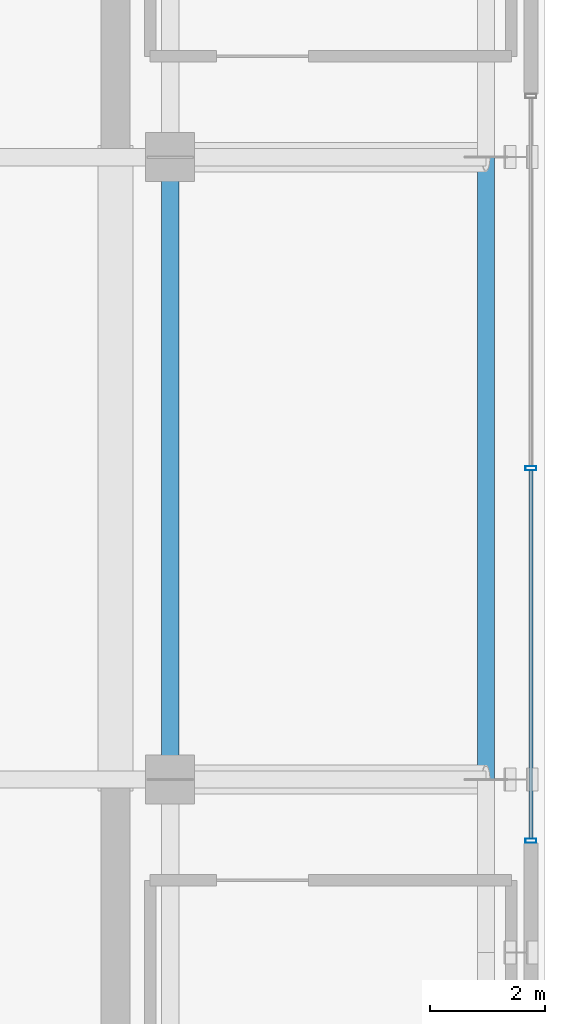
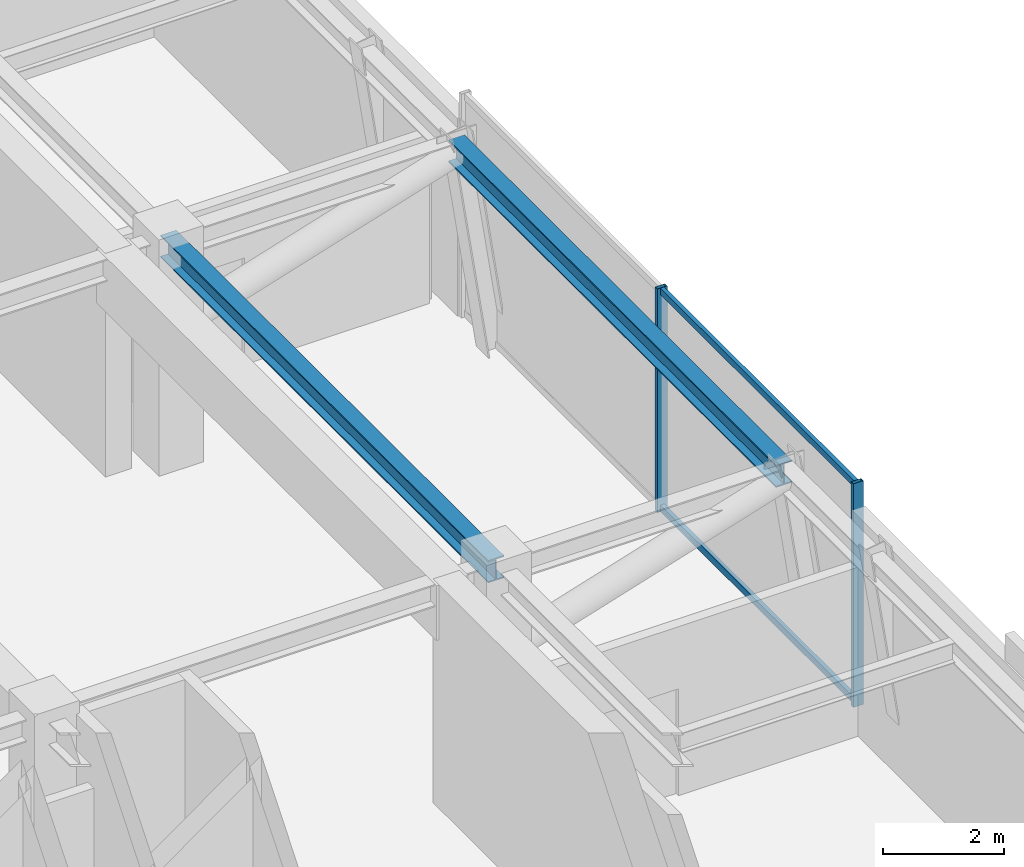
# One storey, part 6 of 15: 4 members, 2 beams, 1 element without a shape of its own.
"""IFC4 building model written with IfcOpenShell, lengths in metres."""

from ifc_helpers import new_model, si_unit, direction, frame, origin, origin_2d, place, context, subcontext, project, spatial, hollow_rectangle, i_section, extrude, source, transform, mapped, material, material_profile, profile_set, type_object, element, aggregate, save


model = new_model("IFC4")

# Units and contexts
model_context = context("Model", 3, precision=1e-05, world=origin(), true_north=direction((0.0, 1.0)))
body_context = subcontext(model_context, "Body", "Model", "MODEL_VIEW")
ifc_project = project(units=[si_unit("LENGTHUNIT", "METRE"), si_unit("AREAUNIT", "SQUARE_METRE"), si_unit("VOLUMEUNIT", "CUBIC_METRE"), si_unit("PLANEANGLEUNIT", "RADIAN"), si_unit("MASSUNIT", "GRAM", prefix="KILO")], contexts=[model_context])

# Site, building, storey
site_placement = place(None, origin())
site = spatial("IfcSite", under=ifc_project, at=site_placement, CompositionType="ELEMENT")
building_placement = place(site_placement, origin())
building = spatial("IfcBuilding", under=site, at=building_placement, Name="Nahalor Promenade Grand Hotel", CompositionType="ELEMENT")
storey_placement = place(building_placement, frame((0.0, 0.0, 261.5)))
storey = spatial("IfcBuildingStorey", under=building, at=storey_placement, Name="L67", CompositionType="ELEMENT", Elevation=261.5)

# Beams
ifc_material_1 = material(Name="Steel S355JR", Category="steel")
ifc_material_profile_1 = material_profile(ifc_material_1, i_section(OverallWidth=0.3, OverallDepth=0.45, WebThickness=0.014, FlangeThickness=0.026, at=origin_2d()), Name="HEB 450")
ifc_profile_set_1 = profile_set([ifc_material_profile_1], Name="Steel S355JR")
beam_type_1 = type_object("IfcBeamType", Name="Beam-Spandrel-HEB450", PredefinedType="SPANDREL", material=ifc_profile_set_1)
shared_shape_1 = source(origin(), body_context, "Body", "SweptSolid", [
    extrude(i_section(OverallWidth=0.3, OverallDepth=0.45, WebThickness=0.014, FlangeThickness=0.026, at=origin_2d()), origin(), (0.0, 0.0, 1.0), 10.7998046875),
])
beam_1_placement = place(storey_placement, frame((22.47998046875, -5.39990234375, 4.27490234375), z_axis=(0.0, 1.0, 0.0), x_axis=(-1.0, 0.0, 0.0)))
element("IfcBeam", 1, at=beam_1_placement, inside=storey, type_object=beam_type_1, Name="BM-L67-SP-E-2", PredefinedType="SPANDREL", context=body_context, shape_type="MappedRepresentation", body=[
    mapped(shared_shape_1, transform((0.0, 0.0, 0.0), scale=1.0)),
])
ifc_material_profile_2 = material_profile(ifc_material_1, i_section(OverallWidth=0.3, OverallDepth=0.45, WebThickness=0.014, FlangeThickness=0.026, at=origin_2d()), Name="HEB 450")
ifc_profile_set_2 = profile_set([ifc_material_profile_2], Name="Steel S355JR")
beam_type_2 = type_object("IfcBeamType", Name="Beam-Girder-HEB450", PredefinedType="BEAM", material=ifc_profile_set_2)
shared_shape_2 = source(origin(), body_context, "Body", "SweptSolid", [
    extrude(i_section(OverallWidth=0.3, OverallDepth=0.45, WebThickness=0.014, FlangeThickness=0.026, at=origin_2d()), origin(), (0.0, 0.0, 1.0), 10.7998046875),
])
beam_2_placement = place(storey_placement, frame((17.0, -5.39990234375, 4.27490234375), z_axis=(0.0, 1.0, 0.0), x_axis=(-1.0, 0.0, 0.0)))
element("IfcBeam", 2, at=beam_2_placement, inside=storey, type_object=beam_type_2, Name="BM-L67-GY-5-2", PredefinedType="BEAM", context=body_context, shape_type="MappedRepresentation", body=[
    mapped(shared_shape_2, transform((0.0, 0.0, 0.0), scale=1.0)),
])

# Curtain wall, members
ifc_material_2 = material(Name="Anodised Bronze Aluminium EN AW-6063 T6", Category="aluminium")
curtain_wall_type = type_object("IfcCurtainWallType", Name="CW6 Crown Botanical Conservatory Curtain Wall", PredefinedType="USERDEFINED", material=ifc_material_2)
curtain_wall_placement = place(storey_placement, origin())
curtain_wall = element("IfcCurtainWall", 3, at=curtain_wall_placement, inside=storey, type_object=curtain_wall_type, Name="L67 Curtain Wall CW-L67-E", ObjectType="UNITISED_CURTAIN_WALL", PredefinedType="USERDEFINED")
ifc_material_profile_3 = material_profile(ifc_material_2, hollow_rectangle(XDim=0.075, YDim=0.135, WallThickness=0.004, at=origin_2d()), Name="CWT 75x135x4")
ifc_profile_set_3 = profile_set([ifc_material_profile_3], Name="Anodised Bronze Aluminium EN AW-6063 T6")
member_type_1 = type_object("IfcMemberType", Name="CWT6 Conservatory Transom 75x135", PredefinedType="USERDEFINED", material=ifc_profile_set_3)
shared_shape_3 = source(origin(), body_context, "Body", "SweptSolid", [
    extrude(hollow_rectangle(XDim=0.075, YDim=0.135, WallThickness=0.004, at=origin_2d()), origin(), (0.0, 0.0, 1.0), 6.387451171875),
])
member_1_placement = place(storey_placement, frame((23.260009765625, -6.425048828125, 0.0673828125), z_axis=(0.0, 1.0, 0.0), x_axis=(-1.0, 0.0, 0.0)))
member_1 = element("IfcMember", 4, at=member_1_placement, type_object=member_type_1, Name="CW-L67-E Transom 0-0", ObjectType="TRANSOM", PredefinedType="USERDEFINED", context=body_context, shape_type="MappedRepresentation", body=[
    mapped(shared_shape_3, transform((0.0, 0.0, 0.0), scale=1.0)),
])
member_2_placement = place(storey_placement, frame((23.260009765625, -6.425048828125, 4.4326171875), z_axis=(0.0, 1.0, 0.0), x_axis=(-1.0, 0.0, 0.0)))
member_2 = element("IfcMember", 5, at=member_2_placement, type_object=member_type_1, Name="CW-L67-E Transom 0-1", ObjectType="TRANSOM", PredefinedType="USERDEFINED", context=body_context, shape_type="MappedRepresentation", body=[
    mapped(shared_shape_3, transform((0.0, 0.0, 0.0), scale=1.0)),
])
ifc_material_profile_4 = material_profile(ifc_material_2, hollow_rectangle(XDim=0.075, YDim=0.19, WallThickness=0.005, at=origin_2d()), Name="CWM 75x190x5")
ifc_profile_set_4 = profile_set([ifc_material_profile_4], Name="Anodised Bronze Aluminium EN AW-6063 T6")
member_type_2 = type_object("IfcMemberType", Name="CWM6 Conservatory Bronze Mullion 75x190", PredefinedType="MULLION", material=ifc_profile_set_4)
shared_shape_4 = source(origin(), body_context, "Body", "SweptSolid", [
    extrude(hollow_rectangle(XDim=0.075, YDim=0.19, WallThickness=0.005, at=origin_2d()), origin(), (0.0, 0.0, 1.0), 4.5),
])
member_3_placement = place(storey_placement, frame((23.260009765625, -6.46240234375, 0.0), z_axis=(0.0, 0.0, 1.0), x_axis=(0.0, 1.0, 0.0)))
member_3 = element("IfcMember", 6, at=member_3_placement, type_object=member_type_2, Name="CW-L67-E Mullion 0", PredefinedType="MULLION", context=body_context, shape_type="MappedRepresentation", body=[
    mapped(shared_shape_4, transform((0.0, 0.0, 0.0), scale=1.0)),
])
member_4_placement = place(storey_placement, frame((23.260009765625, 0.0, 0.0), z_axis=(0.0, 0.0, 1.0), x_axis=(0.0, 1.0, 0.0)))
member_4 = element("IfcMember", 7, at=member_4_placement, type_object=member_type_2, Name="CW-L67-E Mullion 1", PredefinedType="MULLION", context=body_context, shape_type="MappedRepresentation", body=[
    mapped(shared_shape_4, transform((0.0, 0.0, 0.0), scale=1.0)),
])
aggregate(curtain_wall, [member_3, member_4, member_1, member_2])

save(model, "model.ifc")
